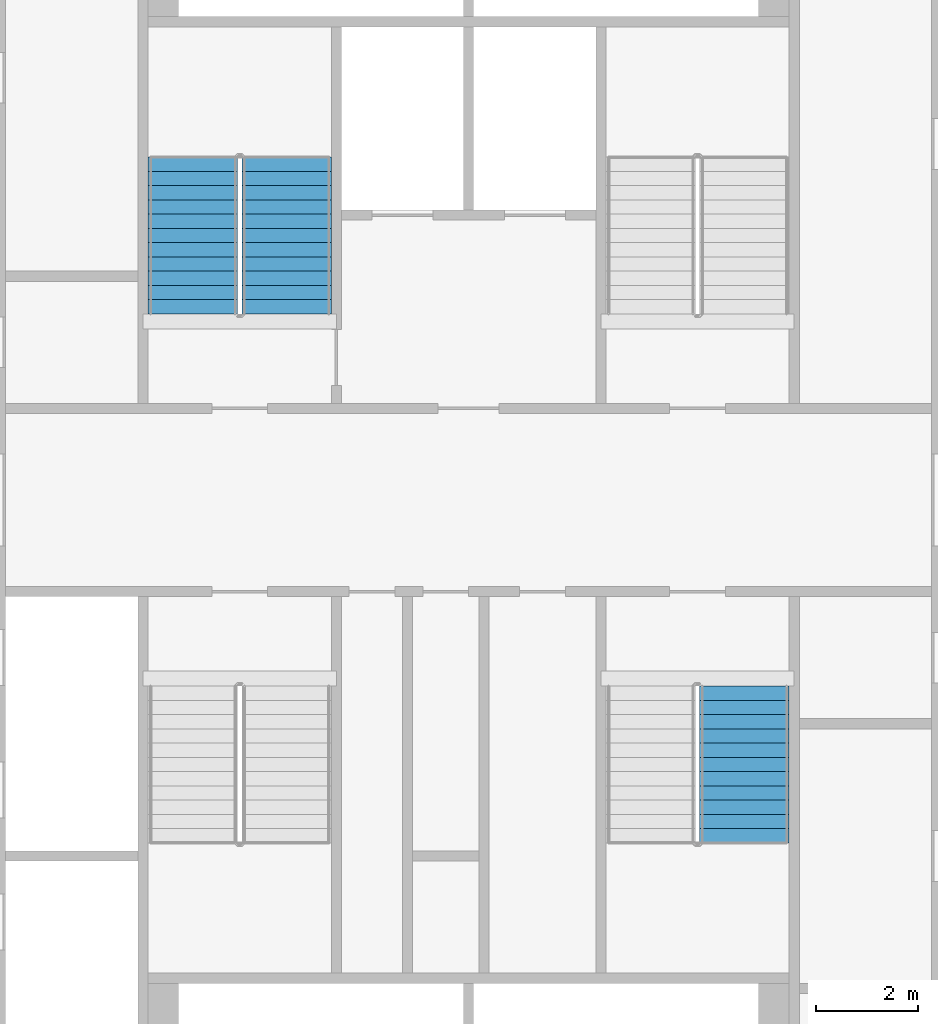
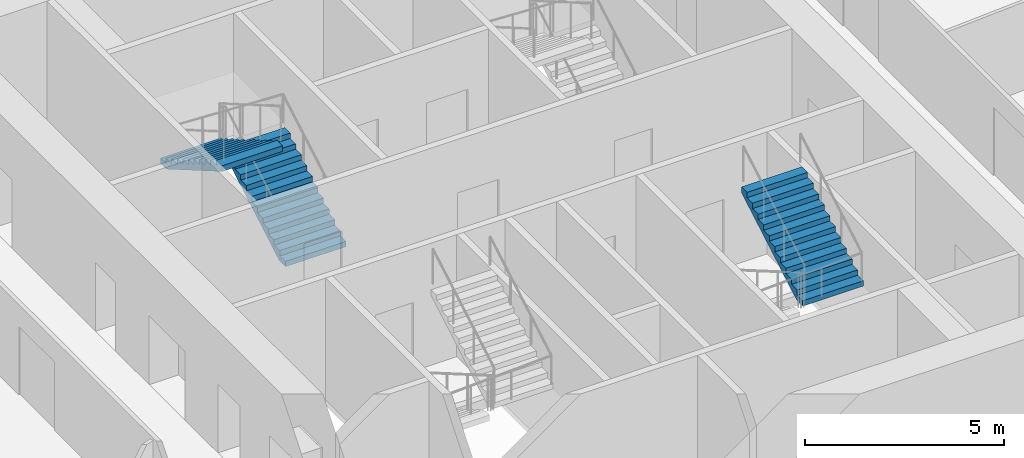
# One storey, part 9 of 15: 3 stair flights, 2 elements without a shape of their own.
"""IFC4 building model written with IfcOpenShell, lengths in metres."""

import ifcopenshell
import ifcopenshell.guid

model = None  # the IFC model being written
_history = None  # IfcOwnerHistory: only IFC2X3 demands one
_inside = {}  # id of a spatial element -> (the spatial element, [elements in it])
_under = {}  # id of a project, library or spatial element -> (it, [spatial elements below it])
_declared = {}  # id of a project -> (the project, [libraries it declares])
_typed = {}  # id of a type object -> (the type object, [elements of that type])
_made_of = {}  # id of a material, layer set ... -> (it, [elements and type objects made of it])


def new_model(schema):
    """Start an empty IFC model of exactly this schema.

    Asked for "IFC4X3", IfcOpenShell would pick the latest addendum, in which some entities
    have other attributes; the version numbers below select the first issue.
    IFC2X3 requires an IfcOwnerHistory on every rooted entity: one is made here for all.
    """
    global model, _history
    if schema == "IFC4X3":
        model = ifcopenshell.file(schema_version=(4, 3, 0, 0))
    else:
        model = ifcopenshell.file(schema=schema)
    _inside.clear()
    _under.clear()
    _declared.clear()
    _typed.clear()
    _made_of.clear()
    _history = None
    if model.schema == "IFC2X3":
        org = make("IfcOrganization", Name="unknown")
        user = make(
            "IfcPersonAndOrganization",
            ThePerson=make("IfcPerson", FamilyName="unknown"),
            TheOrganization=org,
        )
        app = make(
            "IfcApplication",
            ApplicationDeveloper=org,
            Version="unknown",
            ApplicationFullName="unknown",
            ApplicationIdentifier="unknown",
        )
        _history = make(
            "IfcOwnerHistory",
            OwningUser=user,
            OwningApplication=app,
            ChangeAction="ADDED",
            CreationDate=0,
        )
    return model


def make(cls, **values):
    """One entity of the class cls with the attributes given. An attribute that is None is left unset."""
    return model.create_entity(
        cls, **{name: value for name, value in values.items() if value is not None}
    )


def rooted(cls, **values):
    """An entity with a GlobalId (a new one), such as an element, a storey or a relation."""
    return make(cls, GlobalId=ifcopenshell.guid.new(), OwnerHistory=_history, **values)


def si_unit(unit_type, name, prefix=None):
    """IfcSIUnit, for example si_unit("LENGTHUNIT", "METRE", prefix="MILLI")."""
    return make("IfcSIUnit", UnitType=unit_type, Prefix=prefix, Name=name)


def assignment(units):
    """IfcUnitAssignment: the units of a project."""
    return None if units is None else make("IfcUnitAssignment", Units=units)


def point(xyz):
    """IfcCartesianPoint."""
    return None if xyz is None else make("IfcCartesianPoint", Coordinates=xyz)


def direction(xyz):
    """IfcDirection."""
    return None if xyz is None else make("IfcDirection", DirectionRatios=xyz)


def frame(location, z_axis=None, x_axis=None):
    """IfcAxis2Placement3D, a coordinate frame: its origin and axes. An axis left out is left unset."""
    return make(
        "IfcAxis2Placement3D",
        Location=point(location),
        Axis=direction(z_axis),
        RefDirection=direction(x_axis),
    )


def origin():
    """The frame at (0, 0, 0) with its axes left unset."""
    return frame((0.0, 0.0, 0.0))


def place(relative_to, where):
    """IfcLocalPlacement: puts the frame where relative to a parent placement (None: the world)."""
    return make(
        "IfcLocalPlacement", PlacementRelTo=relative_to, RelativePlacement=where
    )


def context(
    kind, dimensions, precision=None, world=None, true_north=None, identifier=None
):
    """IfcGeometricRepresentationContext, for example the 3D "Model" context."""
    return make(
        "IfcGeometricRepresentationContext",
        ContextIdentifier=identifier,
        ContextType=kind,
        CoordinateSpaceDimension=dimensions,
        Precision=precision,
        WorldCoordinateSystem=world,
        TrueNorth=true_north,
    )


def subcontext(parent, identifier, kind, view, scale=None):
    """IfcGeometricRepresentationSubContext, for example "Body" below "Model"."""
    return make(
        "IfcGeometricRepresentationSubContext",
        ContextIdentifier=identifier,
        ContextType=kind,
        ParentContext=parent,
        TargetScale=scale,
        TargetView=view,
    )


def project(units=None, contexts=None):
    """IfcProject with its units and contexts."""
    return rooted(
        "IfcProject",
        Name="project",
        RepresentationContexts=contexts,
        UnitsInContext=assignment(units),
    )


def spatial(cls, under=None, at=None, **own):
    """A site, building, storey or space (cls), placed at a placement, below another one or the project."""
    s = rooted(cls, ObjectPlacement=at, **own)
    if under is not None:
        _under.setdefault(under.id(), (under, []))[1].append(s)
    return s


def faces_of(points, faces, orient=None, outer=None):
    """IfcFace entities. A face is a list of loops; a loop is a list of indices into points, from 0.

    orient and outer hold one flag for each loop. By default every Orientation is true, the
    first loop of a face is its IfcFaceOuterBound and the others are IfcFaceBound.
    """
    made = []
    for i, loops in enumerate(faces):
        bounds = []
        for j, loop in enumerate(loops):
            is_outer = j == 0 if outer is None else outer[i][j]
            bounds.append(
                make(
                    "IfcFaceOuterBound" if is_outer else "IfcFaceBound",
                    Bound=make("IfcPolyLoop", Polygon=[points[k] for k in loop]),
                    Orientation=True if orient is None else orient[i][j],
                )
            )
        made.append(make("IfcFace", Bounds=bounds))
    return made


def faceted_brep(points, faces, orient=None, outer=None, voids=None):
    """IfcFacetedBrep: a solid bounded by flat faces; with voids (closed shells), ...WithVoids."""
    shared = [point(p) for p in points]
    hull = make("IfcClosedShell", CfsFaces=faces_of(shared, faces, orient, outer))
    if voids is None:
        return make("IfcFacetedBrep", Outer=hull)
    return make(
        "IfcFacetedBrepWithVoids",
        Outer=hull,
        Voids=[
            make(cls, CfsFaces=faces_of(shared, fs, o, b)) for cls, fs, o, b in voids
        ],
    )


def shape(context_of_items, identifier, shape_type, items):
    """IfcShapeRepresentation: the items that make up one representation, for example the "Body"."""
    return make(
        "IfcShapeRepresentation",
        ContextOfItems=context_of_items,
        RepresentationIdentifier=identifier,
        RepresentationType=shape_type,
        Items=items,
    )


def material(Name=None, Category=None):
    """IfcMaterial."""
    return make("IfcMaterial", Name=Name, Category=Category)


def made_of(thing, what):
    """Note that an element or type object is made of a material, layer set ...; save() writes the relation."""
    if what is not None:
        _made_of.setdefault(what.id(), (what, []))[1].append(thing)
    return thing


def type_object(cls, material=None, **own):
    """A type object (cls), such as IfcWallType, which elements share."""
    return made_of(rooted(cls, **own), material)


def element(
    cls,
    number,
    at=None,
    inside=None,
    cuts=None,
    type_object=None,
    material=None,
    context=None,
    identifier="Body",
    shape_type=None,
    held_by="IfcProductDefinitionShape",
    body=None,
    shapes=None,
    **own,
):
    """One element of the class cls, such as IfcWall. Its Tag is "e" and its number.

    at: its placement. inside: the storey or other place that contains it. cuts: it is an
    opening in that element (IfcRelVoidsElement). A single representation is given by context,
    identifier, shape_type and body (its items); several are given by shapes. held_by: the class
    of the entity that holds the representations. save() writes the other relations.
    """
    e = rooted(cls, Tag="e%d" % number, ObjectPlacement=at, **own)
    if body is not None:
        shapes = [shape(context, identifier, shape_type, body)]
    if shapes is not None:
        e.Representation = make(held_by, Representations=shapes)
    if inside is not None:
        _inside.setdefault(inside.id(), (inside, []))[1].append(e)
    if cuts is not None:
        rooted(
            "IfcRelVoidsElement", RelatingBuildingElement=cuts, RelatedOpeningElement=e
        )
    if type_object is not None:
        _typed.setdefault(type_object.id(), (type_object, []))[1].append(e)
    return made_of(e, material)


def aggregate(whole, parts):
    """IfcRelAggregates: a whole, such as a stair, and the parts it consists of."""
    return rooted("IfcRelAggregates", RelatingObject=whole, RelatedObjects=parts)


def save(model, path):
    """Write the relations noted so far, then the file.

    IfcRelAggregates (storeys below a building ...), IfcRelContainedInSpatialStructure (elements
    in a storey), IfcRelDefinesByType, IfcRelAssociatesMaterial and IfcRelDeclares: one each for
    every whole, place, type object, material and project.
    """
    for whole, parts in _under.values():
        aggregate(whole, parts)
    for where, things in _inside.values():
        rooted(
            "IfcRelContainedInSpatialStructure",
            RelatedElements=things,
            RelatingStructure=where,
        )
    for kind, things in _typed.values():
        rooted("IfcRelDefinesByType", RelatedObjects=things, RelatingType=kind)
    for what, things in _made_of.values():
        rooted("IfcRelAssociatesMaterial", RelatedObjects=things, RelatingMaterial=what)
    for by, libraries in _declared.values():
        rooted("IfcRelDeclares", RelatingContext=by, RelatedDefinitions=libraries)
    model.write(path)


model = new_model("IFC4")

# Units and contexts
model_context = context("Model", 3, precision=1e-05, world=origin(), true_north=direction((0.0, 1.0)))
body_context = subcontext(model_context, "Body", "Model", "MODEL_VIEW")
ifc_project = project(units=[si_unit("LENGTHUNIT", "METRE"), si_unit("AREAUNIT", "SQUARE_METRE"), si_unit("VOLUMEUNIT", "CUBIC_METRE"), si_unit("PLANEANGLEUNIT", "RADIAN"), si_unit("MASSUNIT", "GRAM", prefix="KILO")], contexts=[model_context])

# Site, building, storey
site_placement = place(None, origin())
site = spatial("IfcSite", under=ifc_project, at=site_placement, CompositionType="ELEMENT")
building_placement = place(site_placement, origin())
building = spatial("IfcBuilding", under=site, at=building_placement, Name="Tarsis Ring Headquarters", CompositionType="ELEMENT")
storey_placement = place(building_placement, frame((0.0, 0.0, 59.5)))
storey = spatial("IfcBuildingStorey", under=building, at=storey_placement, Name="L12", CompositionType="ELEMENT", Elevation=59.5)

# Stair, stair flights
ifc_material_1 = material(Name="Core stair 1760")
stair_type = type_object("IfcStairType", Name="Core stair 1760", PredefinedType="HALF_TURN_STAIR", material=ifc_material_1)
stair_1_placement = place(storey_placement, origin())
stair_1 = element("IfcStair", 1, at=stair_1_placement, inside=storey, type_object=stair_type, Name="L12 Firefighting stair", PredefinedType="HALF_TURN_STAIR")
ifc_material_2 = material(Name="Concrete C40/50", Category="concrete")
stair_flight_type = type_object("IfcStairFlightType", Name="Core stair flight 1760", PredefinedType="STRAIGHT", material=ifc_material_2)
stair_flight_1_placement = place(storey_placement, frame((-3.580078125, 3.659912109375, 0.0), z_axis=(0.0, 0.0, 1.0), x_axis=(0.0, 1.0, 0.0)))
stair_flight_1 = element("IfcStairFlight", 2, at=stair_flight_1_placement, type_object=stair_flight_type, Name="Stair ST1 flight 1", NumberOfRisers=12, NumberOfTreads=11, PredefinedType="STRAIGHT", RiserHeight=0.1625, TreadLength=0.28, context=body_context, shape_type="Brep", body=[
    faceted_brep([(0.0, 0.8798828125, 0.0), (0.0, 0.8798828125, 0.16259765625), (0.280029296875, 0.8798828125, 0.16259765625), (0.280029296875, 0.8798828125, 0.324951171875), (0.56005859375, 0.8798828125, 0.324951171875), (0.56005859375, 0.8798828125, 0.487548828125), (0.840087890625, 0.8798828125, 0.487548828125), (0.840087890625, 0.8798828125, 0.64990234375), (1.1201171875, 0.8798828125, 0.64990234375), (1.1201171875, 0.8798828125, 0.8125), (1.39990234375, 0.8798828125, 0.8125), (1.39990234375, 0.8798828125, 0.97509765625), (1.679931640625, 0.8798828125, 0.97509765625), (1.679931640625, 0.8798828125, 1.137451171875), (1.9599609375, 0.8798828125, 1.137451171875), (1.9599609375, 0.8798828125, 1.300048828125), (2.239990234375, 0.8798828125, 1.300048828125), (2.239990234375, 0.8798828125, 1.46240234375), (2.52001953125, 0.8798828125, 1.46240234375), (2.52001953125, 0.8798828125, 1.625), (2.800048828125, 0.8798828125, 1.625), (2.800048828125, 0.8798828125, 1.78759765625), (3.080078125, 0.8798828125, 1.78759765625), (3.080078125, 0.8798828125, 1.6142578125), (0.298583984375, 0.8798828125, 0.0), (0.298583984375, -0.8798828125, 0.0), (3.080078125, -0.8798828125, 1.6142578125), (3.080078125, -0.8798828125, 1.78759765625), (2.800048828125, -0.8798828125, 1.78759765625), (2.800048828125, -0.8798828125, 1.625), (2.52001953125, -0.8798828125, 1.625), (2.52001953125, -0.8798828125, 1.46240234375), (2.239990234375, -0.8798828125, 1.46240234375), (2.239990234375, -0.8798828125, 1.300048828125), (1.9599609375, -0.8798828125, 1.300048828125), (1.9599609375, -0.8798828125, 1.137451171875), (1.679931640625, -0.8798828125, 1.137451171875), (1.679931640625, -0.8798828125, 0.97509765625), (1.39990234375, -0.8798828125, 0.97509765625), (1.39990234375, -0.8798828125, 0.8125), (1.1201171875, -0.8798828125, 0.8125), (1.1201171875, -0.8798828125, 0.64990234375), (0.840087890625, -0.8798828125, 0.64990234375), (0.840087890625, -0.8798828125, 0.487548828125), (0.56005859375, -0.8798828125, 0.487548828125), (0.56005859375, -0.8798828125, 0.324951171875), (0.280029296875, -0.8798828125, 0.324951171875), (0.280029296875, -0.8798828125, 0.16259765625), (0.0, -0.8798828125, 0.16259765625), (0.0, -0.8798828125, 0.0), (0.0, -0.43994140625, 0.16259765625), (0.0, -0.43994140625, 0.0), (0.0, 0.0, 0.16259765625), (0.0, 0.0, 0.0), (0.0, 0.43994140625, 0.16259765625), (0.0, 0.43994140625, 0.0), (0.280029296875, -0.43994140625, 0.16259765625), (0.280029296875, 0.0, 0.16259765625), (0.280029296875, 0.43994140625, 0.16259765625), (0.280029296875, -0.43994140625, 0.324951171875), (0.280029296875, 0.0, 0.324951171875), (0.280029296875, 0.43994140625, 0.324951171875), (0.56005859375, -0.43994140625, 0.324951171875), (0.56005859375, 0.0, 0.324951171875), (0.56005859375, 0.43994140625, 0.324951171875), (0.56005859375, -0.43994140625, 0.487548828125), (0.56005859375, 0.0, 0.487548828125), (0.56005859375, 0.43994140625, 0.487548828125), (0.840087890625, -0.43994140625, 0.487548828125), (0.840087890625, 0.0, 0.487548828125), (0.840087890625, 0.43994140625, 0.487548828125), (0.840087890625, -0.43994140625, 0.64990234375), (0.840087890625, 0.0, 0.64990234375), (0.840087890625, 0.43994140625, 0.64990234375), (1.1201171875, -0.43994140625, 0.64990234375), (1.1201171875, 0.0, 0.64990234375), (1.1201171875, 0.43994140625, 0.64990234375), (1.1201171875, -0.43994140625, 0.8125), (1.1201171875, 0.0, 0.8125), (1.1201171875, 0.43994140625, 0.8125), (1.39990234375, -0.43994140625, 0.8125), (1.39990234375, 0.0, 0.8125), (1.39990234375, 0.43994140625, 0.8125), (1.39990234375, -0.43994140625, 0.97509765625), (1.39990234375, 0.0, 0.97509765625), (1.39990234375, 0.43994140625, 0.97509765625), (1.679931640625, -0.43994140625, 0.97509765625), (1.679931640625, 0.0, 0.97509765625), (1.679931640625, 0.43994140625, 0.97509765625), (1.679931640625, -0.43994140625, 1.137451171875), (1.679931640625, 0.0, 1.137451171875), (1.679931640625, 0.43994140625, 1.137451171875), (1.9599609375, -0.43994140625, 1.137451171875), (1.9599609375, 0.0, 1.137451171875), (1.9599609375, 0.43994140625, 1.137451171875), (1.9599609375, -0.43994140625, 1.300048828125), (1.9599609375, 0.0, 1.300048828125), (1.9599609375, 0.43994140625, 1.300048828125), (2.239990234375, -0.43994140625, 1.300048828125), (2.239990234375, 0.0, 1.300048828125), (2.239990234375, 0.43994140625, 1.300048828125), (2.239990234375, -0.43994140625, 1.46240234375), (2.239990234375, 0.0, 1.46240234375), (2.239990234375, 0.43994140625, 1.46240234375), (2.52001953125, -0.43994140625, 1.46240234375), (2.52001953125, 0.0, 1.46240234375), (2.52001953125, 0.43994140625, 1.46240234375), (2.52001953125, -0.43994140625, 1.625), (2.52001953125, 0.0, 1.625), (2.52001953125, 0.43994140625, 1.625), (2.800048828125, -0.43994140625, 1.625), (2.800048828125, 0.0, 1.625), (2.800048828125, 0.43994140625, 1.625), (2.800048828125, -0.43994140625, 1.78759765625), (2.800048828125, 0.0, 1.78759765625), (2.800048828125, 0.43994140625, 1.78759765625), (3.080078125, -0.43994140625, 1.78759765625), (3.080078125, 0.0, 1.78759765625), (3.080078125, 0.43994140625, 1.78759765625), (3.080078125, -0.43994140625, 1.6142578125), (3.080078125, 0.0, 1.6142578125), (3.080078125, 0.43994140625, 1.6142578125), (0.298583984375, -0.43994140625, 0.0), (0.298583984375, 0.0, 0.0), (0.298583984375, 0.43994140625, 0.0)], [[[0, 1, 2, 3, 4, 5, 6, 7, 8, 9, 10, 11, 12, 13, 14, 15, 16, 17, 18, 19, 20, 21, 22, 23, 24]], [[25, 26, 27, 28, 29, 30, 31, 32, 33, 34, 35, 36, 37, 38, 39, 40, 41, 42, 43, 44, 45, 46, 47, 48, 49]], [[49, 48, 50, 51]], [[51, 50, 52, 53]], [[53, 52, 54, 55]], [[55, 54, 1, 0]], [[48, 47, 56, 50]], [[50, 56, 57, 52]], [[52, 57, 58, 54]], [[54, 58, 2, 1]], [[47, 46, 59, 56]], [[56, 59, 60, 57]], [[57, 60, 61, 58]], [[58, 61, 3, 2]], [[46, 45, 62, 59]], [[59, 62, 63, 60]], [[60, 63, 64, 61]], [[61, 64, 4, 3]], [[45, 44, 65, 62]], [[62, 65, 66, 63]], [[63, 66, 67, 64]], [[64, 67, 5, 4]], [[44, 43, 68, 65]], [[65, 68, 69, 66]], [[66, 69, 70, 67]], [[67, 70, 6, 5]], [[43, 42, 71, 68]], [[68, 71, 72, 69]], [[69, 72, 73, 70]], [[70, 73, 7, 6]], [[42, 41, 74, 71]], [[71, 74, 75, 72]], [[72, 75, 76, 73]], [[73, 76, 8, 7]], [[41, 40, 77, 74]], [[74, 77, 78, 75]], [[75, 78, 79, 76]], [[76, 79, 9, 8]], [[40, 39, 80, 77]], [[77, 80, 81, 78]], [[78, 81, 82, 79]], [[79, 82, 10, 9]], [[39, 38, 83, 80]], [[80, 83, 84, 81]], [[81, 84, 85, 82]], [[82, 85, 11, 10]], [[38, 37, 86, 83]], [[83, 86, 87, 84]], [[84, 87, 88, 85]], [[85, 88, 12, 11]], [[37, 36, 89, 86]], [[86, 89, 90, 87]], [[87, 90, 91, 88]], [[88, 91, 13, 12]], [[36, 35, 92, 89]], [[89, 92, 93, 90]], [[90, 93, 94, 91]], [[91, 94, 14, 13]], [[35, 34, 95, 92]], [[92, 95, 96, 93]], [[93, 96, 97, 94]], [[94, 97, 15, 14]], [[34, 33, 98, 95]], [[95, 98, 99, 96]], [[96, 99, 100, 97]], [[97, 100, 16, 15]], [[33, 32, 101, 98]], [[98, 101, 102, 99]], [[99, 102, 103, 100]], [[100, 103, 17, 16]], [[32, 31, 104, 101]], [[101, 104, 105, 102]], [[102, 105, 106, 103]], [[103, 106, 18, 17]], [[31, 30, 107, 104]], [[104, 107, 108, 105]], [[105, 108, 109, 106]], [[106, 109, 19, 18]], [[30, 29, 110, 107]], [[107, 110, 111, 108]], [[108, 111, 112, 109]], [[109, 112, 20, 19]], [[29, 28, 113, 110]], [[110, 113, 114, 111]], [[111, 114, 115, 112]], [[112, 115, 21, 20]], [[28, 27, 116, 113]], [[113, 116, 117, 114]], [[114, 117, 118, 115]], [[115, 118, 22, 21]], [[27, 26, 119, 116]], [[116, 119, 120, 117]], [[117, 120, 121, 118]], [[118, 121, 23, 22]], [[26, 25, 122, 119]], [[119, 122, 123, 120]], [[120, 123, 124, 121]], [[121, 124, 24, 23]], [[25, 49, 51, 122]], [[122, 51, 53, 123]], [[123, 53, 55, 124]], [[124, 55, 0, 24]]]),
])
stair_flight_2_placement = place(storey_placement, frame((-5.419921875, 6.739990234375, 1.949951171875), z_axis=(0.0, 0.0, 1.0), x_axis=(0.0, -1.0, 0.0)))
stair_flight_2 = element("IfcStairFlight", 3, at=stair_flight_2_placement, type_object=stair_flight_type, Name="Stair ST1 flight 2", NumberOfRisers=12, NumberOfTreads=11, PredefinedType="STRAIGHT", RiserHeight=0.1625, TreadLength=0.28, context=body_context, shape_type="Brep", body=[
    faceted_brep([(0.0, 0.8798828125, 0.0), (0.0, 0.8798828125, 0.16259765625), (0.280029296875, 0.8798828125, 0.16259765625), (0.280029296875, 0.8798828125, 0.324951171875), (0.56005859375, 0.8798828125, 0.324951171875), (0.56005859375, 0.8798828125, 0.487548828125), (0.840087890625, 0.8798828125, 0.487548828125), (0.840087890625, 0.8798828125, 0.64990234375), (1.1201171875, 0.8798828125, 0.64990234375), (1.1201171875, 0.8798828125, 0.8125), (1.39990234375, 0.8798828125, 0.8125), (1.39990234375, 0.8798828125, 0.97509765625), (1.679931640625, 0.8798828125, 0.97509765625), (1.679931640625, 0.8798828125, 1.137451171875), (1.9599609375, 0.8798828125, 1.137451171875), (1.9599609375, 0.8798828125, 1.300048828125), (2.239990234375, 0.8798828125, 1.300048828125), (2.239990234375, 0.8798828125, 1.46240234375), (2.52001953125, 0.8798828125, 1.46240234375), (2.52001953125, 0.8798828125, 1.625), (2.800048828125, 0.8798828125, 1.625), (2.800048828125, 0.8798828125, 1.78759765625), (3.080078125, 0.8798828125, 1.78759765625), (3.080078125, 0.8798828125, 1.6142578125), (0.298583984375, 0.8798828125, 0.0), (0.298583984375, -0.8798828125, 0.0), (3.080078125, -0.8798828125, 1.6142578125), (3.080078125, -0.8798828125, 1.78759765625), (2.800048828125, -0.8798828125, 1.78759765625), (2.800048828125, -0.8798828125, 1.625), (2.52001953125, -0.8798828125, 1.625), (2.52001953125, -0.8798828125, 1.46240234375), (2.239990234375, -0.8798828125, 1.46240234375), (2.239990234375, -0.8798828125, 1.300048828125), (1.9599609375, -0.8798828125, 1.300048828125), (1.9599609375, -0.8798828125, 1.137451171875), (1.679931640625, -0.8798828125, 1.137451171875), (1.679931640625, -0.8798828125, 0.97509765625), (1.39990234375, -0.8798828125, 0.97509765625), (1.39990234375, -0.8798828125, 0.8125), (1.1201171875, -0.8798828125, 0.8125), (1.1201171875, -0.8798828125, 0.64990234375), (0.840087890625, -0.8798828125, 0.64990234375), (0.840087890625, -0.8798828125, 0.487548828125), (0.56005859375, -0.8798828125, 0.487548828125), (0.56005859375, -0.8798828125, 0.324951171875), (0.280029296875, -0.8798828125, 0.324951171875), (0.280029296875, -0.8798828125, 0.16259765625), (0.0, -0.8798828125, 0.16259765625), (0.0, -0.8798828125, 0.0), (0.0, -0.43994140625, 0.16259765625), (0.0, -0.43994140625, 0.0), (0.0, 0.0, 0.16259765625), (0.0, 0.0, 0.0), (0.0, 0.43994140625, 0.16259765625), (0.0, 0.43994140625, 0.0), (0.280029296875, -0.43994140625, 0.16259765625), (0.280029296875, 0.0, 0.16259765625), (0.280029296875, 0.43994140625, 0.16259765625), (0.280029296875, -0.43994140625, 0.324951171875), (0.280029296875, 0.0, 0.324951171875), (0.280029296875, 0.43994140625, 0.324951171875), (0.56005859375, -0.43994140625, 0.324951171875), (0.56005859375, 0.0, 0.324951171875), (0.56005859375, 0.43994140625, 0.324951171875), (0.56005859375, -0.43994140625, 0.487548828125), (0.56005859375, 0.0, 0.487548828125), (0.56005859375, 0.43994140625, 0.487548828125), (0.840087890625, -0.43994140625, 0.487548828125), (0.840087890625, 0.0, 0.487548828125), (0.840087890625, 0.43994140625, 0.487548828125), (0.840087890625, -0.43994140625, 0.64990234375), (0.840087890625, 0.0, 0.64990234375), (0.840087890625, 0.43994140625, 0.64990234375), (1.1201171875, -0.43994140625, 0.64990234375), (1.1201171875, 0.0, 0.64990234375), (1.1201171875, 0.43994140625, 0.64990234375), (1.1201171875, -0.43994140625, 0.8125), (1.1201171875, 0.0, 0.8125), (1.1201171875, 0.43994140625, 0.8125), (1.39990234375, -0.43994140625, 0.8125), (1.39990234375, 0.0, 0.8125), (1.39990234375, 0.43994140625, 0.8125), (1.39990234375, -0.43994140625, 0.97509765625), (1.39990234375, 0.0, 0.97509765625), (1.39990234375, 0.43994140625, 0.97509765625), (1.679931640625, -0.43994140625, 0.97509765625), (1.679931640625, 0.0, 0.97509765625), (1.679931640625, 0.43994140625, 0.97509765625), (1.679931640625, -0.43994140625, 1.137451171875), (1.679931640625, 0.0, 1.137451171875), (1.679931640625, 0.43994140625, 1.137451171875), (1.9599609375, -0.43994140625, 1.137451171875), (1.9599609375, 0.0, 1.137451171875), (1.9599609375, 0.43994140625, 1.137451171875), (1.9599609375, -0.43994140625, 1.300048828125), (1.9599609375, 0.0, 1.300048828125), (1.9599609375, 0.43994140625, 1.300048828125), (2.239990234375, -0.43994140625, 1.300048828125), (2.239990234375, 0.0, 1.300048828125), (2.239990234375, 0.43994140625, 1.300048828125), (2.239990234375, -0.43994140625, 1.46240234375), (2.239990234375, 0.0, 1.46240234375), (2.239990234375, 0.43994140625, 1.46240234375), (2.52001953125, -0.43994140625, 1.46240234375), (2.52001953125, 0.0, 1.46240234375), (2.52001953125, 0.43994140625, 1.46240234375), (2.52001953125, -0.43994140625, 1.625), (2.52001953125, 0.0, 1.625), (2.52001953125, 0.43994140625, 1.625), (2.800048828125, -0.43994140625, 1.625), (2.800048828125, 0.0, 1.625), (2.800048828125, 0.43994140625, 1.625), (2.800048828125, -0.43994140625, 1.78759765625), (2.800048828125, 0.0, 1.78759765625), (2.800048828125, 0.43994140625, 1.78759765625), (3.080078125, -0.43994140625, 1.78759765625), (3.080078125, 0.0, 1.78759765625), (3.080078125, 0.43994140625, 1.78759765625), (3.080078125, -0.43994140625, 1.6142578125), (3.080078125, 0.0, 1.6142578125), (3.080078125, 0.43994140625, 1.6142578125), (0.298583984375, -0.43994140625, 0.0), (0.298583984375, 0.0, 0.0), (0.298583984375, 0.43994140625, 0.0)], [[[0, 1, 2, 3, 4, 5, 6, 7, 8, 9, 10, 11, 12, 13, 14, 15, 16, 17, 18, 19, 20, 21, 22, 23, 24]], [[25, 26, 27, 28, 29, 30, 31, 32, 33, 34, 35, 36, 37, 38, 39, 40, 41, 42, 43, 44, 45, 46, 47, 48, 49]], [[49, 48, 50, 51]], [[51, 50, 52, 53]], [[53, 52, 54, 55]], [[55, 54, 1, 0]], [[48, 47, 56, 50]], [[50, 56, 57, 52]], [[52, 57, 58, 54]], [[54, 58, 2, 1]], [[47, 46, 59, 56]], [[56, 59, 60, 57]], [[57, 60, 61, 58]], [[58, 61, 3, 2]], [[46, 45, 62, 59]], [[59, 62, 63, 60]], [[60, 63, 64, 61]], [[61, 64, 4, 3]], [[45, 44, 65, 62]], [[62, 65, 66, 63]], [[63, 66, 67, 64]], [[64, 67, 5, 4]], [[44, 43, 68, 65]], [[65, 68, 69, 66]], [[66, 69, 70, 67]], [[67, 70, 6, 5]], [[43, 42, 71, 68]], [[68, 71, 72, 69]], [[69, 72, 73, 70]], [[70, 73, 7, 6]], [[42, 41, 74, 71]], [[71, 74, 75, 72]], [[72, 75, 76, 73]], [[73, 76, 8, 7]], [[41, 40, 77, 74]], [[74, 77, 78, 75]], [[75, 78, 79, 76]], [[76, 79, 9, 8]], [[40, 39, 80, 77]], [[77, 80, 81, 78]], [[78, 81, 82, 79]], [[79, 82, 10, 9]], [[39, 38, 83, 80]], [[80, 83, 84, 81]], [[81, 84, 85, 82]], [[82, 85, 11, 10]], [[38, 37, 86, 83]], [[83, 86, 87, 84]], [[84, 87, 88, 85]], [[85, 88, 12, 11]], [[37, 36, 89, 86]], [[86, 89, 90, 87]], [[87, 90, 91, 88]], [[88, 91, 13, 12]], [[36, 35, 92, 89]], [[89, 92, 93, 90]], [[90, 93, 94, 91]], [[91, 94, 14, 13]], [[35, 34, 95, 92]], [[92, 95, 96, 93]], [[93, 96, 97, 94]], [[94, 97, 15, 14]], [[34, 33, 98, 95]], [[95, 98, 99, 96]], [[96, 99, 100, 97]], [[97, 100, 16, 15]], [[33, 32, 101, 98]], [[98, 101, 102, 99]], [[99, 102, 103, 100]], [[100, 103, 17, 16]], [[32, 31, 104, 101]], [[101, 104, 105, 102]], [[102, 105, 106, 103]], [[103, 106, 18, 17]], [[31, 30, 107, 104]], [[104, 107, 108, 105]], [[105, 108, 109, 106]], [[106, 109, 19, 18]], [[30, 29, 110, 107]], [[107, 110, 111, 108]], [[108, 111, 112, 109]], [[109, 112, 20, 19]], [[29, 28, 113, 110]], [[110, 113, 114, 111]], [[111, 114, 115, 112]], [[112, 115, 21, 20]], [[28, 27, 116, 113]], [[113, 116, 117, 114]], [[114, 117, 118, 115]], [[115, 118, 22, 21]], [[27, 26, 119, 116]], [[116, 119, 120, 117]], [[117, 120, 121, 118]], [[118, 121, 23, 22]], [[26, 25, 122, 119]], [[119, 122, 123, 120]], [[120, 123, 124, 121]], [[121, 124, 24, 23]], [[25, 49, 51, 122]], [[122, 51, 53, 123]], [[123, 53, 55, 124]], [[124, 55, 0, 24]]]),
])
aggregate(stair_1, [stair_flight_1, stair_flight_2])

# Stair, stair flight
stair_2_placement = place(storey_placement, origin())
stair_2 = element("IfcStair", 4, at=stair_2_placement, inside=storey, type_object=stair_type, Name="L12 Exit stair D", PredefinedType="HALF_TURN_STAIR")
stair_flight_3_placement = place(storey_placement, frame((5.419921875, -6.739990234375, 1.949951171875), z_axis=(0.0, 0.0, 1.0), x_axis=(0.0, 1.0, 0.0)))
stair_flight_3 = element("IfcStairFlight", 5, at=stair_flight_3_placement, type_object=stair_flight_type, Name="Stair ST4 flight 2", NumberOfRisers=12, NumberOfTreads=11, PredefinedType="STRAIGHT", RiserHeight=0.1625, TreadLength=0.28, context=body_context, shape_type="Brep", body=[
    faceted_brep([(0.0, 0.8798828125, 0.0), (0.0, 0.8798828125, 0.16259765625), (0.280029296875, 0.8798828125, 0.16259765625), (0.280029296875, 0.8798828125, 0.324951171875), (0.56005859375, 0.8798828125, 0.324951171875), (0.56005859375, 0.8798828125, 0.487548828125), (0.840087890625, 0.8798828125, 0.487548828125), (0.840087890625, 0.8798828125, 0.64990234375), (1.1201171875, 0.8798828125, 0.64990234375), (1.1201171875, 0.8798828125, 0.8125), (1.39990234375, 0.8798828125, 0.8125), (1.39990234375, 0.8798828125, 0.97509765625), (1.679931640625, 0.8798828125, 0.97509765625), (1.679931640625, 0.8798828125, 1.137451171875), (1.9599609375, 0.8798828125, 1.137451171875), (1.9599609375, 0.8798828125, 1.300048828125), (2.239990234375, 0.8798828125, 1.300048828125), (2.239990234375, 0.8798828125, 1.46240234375), (2.52001953125, 0.8798828125, 1.46240234375), (2.52001953125, 0.8798828125, 1.625), (2.800048828125, 0.8798828125, 1.625), (2.800048828125, 0.8798828125, 1.78759765625), (3.080078125, 0.8798828125, 1.78759765625), (3.080078125, 0.8798828125, 1.6142578125), (0.298583984375, 0.8798828125, 0.0), (0.298583984375, -0.8798828125, 0.0), (3.080078125, -0.8798828125, 1.6142578125), (3.080078125, -0.8798828125, 1.78759765625), (2.800048828125, -0.8798828125, 1.78759765625), (2.800048828125, -0.8798828125, 1.625), (2.52001953125, -0.8798828125, 1.625), (2.52001953125, -0.8798828125, 1.46240234375), (2.239990234375, -0.8798828125, 1.46240234375), (2.239990234375, -0.8798828125, 1.300048828125), (1.9599609375, -0.8798828125, 1.300048828125), (1.9599609375, -0.8798828125, 1.137451171875), (1.679931640625, -0.8798828125, 1.137451171875), (1.679931640625, -0.8798828125, 0.97509765625), (1.39990234375, -0.8798828125, 0.97509765625), (1.39990234375, -0.8798828125, 0.8125), (1.1201171875, -0.8798828125, 0.8125), (1.1201171875, -0.8798828125, 0.64990234375), (0.840087890625, -0.8798828125, 0.64990234375), (0.840087890625, -0.8798828125, 0.487548828125), (0.56005859375, -0.8798828125, 0.487548828125), (0.56005859375, -0.8798828125, 0.324951171875), (0.280029296875, -0.8798828125, 0.324951171875), (0.280029296875, -0.8798828125, 0.16259765625), (0.0, -0.8798828125, 0.16259765625), (0.0, -0.8798828125, 0.0), (0.0, -0.43994140625, 0.16259765625), (0.0, -0.43994140625, 0.0), (0.0, 0.0, 0.16259765625), (0.0, 0.0, 0.0), (0.0, 0.43994140625, 0.16259765625), (0.0, 0.43994140625, 0.0), (0.280029296875, -0.43994140625, 0.16259765625), (0.280029296875, 0.0, 0.16259765625), (0.280029296875, 0.43994140625, 0.16259765625), (0.280029296875, -0.43994140625, 0.324951171875), (0.280029296875, 0.0, 0.324951171875), (0.280029296875, 0.43994140625, 0.324951171875), (0.56005859375, -0.43994140625, 0.324951171875), (0.56005859375, 0.0, 0.324951171875), (0.56005859375, 0.43994140625, 0.324951171875), (0.56005859375, -0.43994140625, 0.487548828125), (0.56005859375, 0.0, 0.487548828125), (0.56005859375, 0.43994140625, 0.487548828125), (0.840087890625, -0.43994140625, 0.487548828125), (0.840087890625, 0.0, 0.487548828125), (0.840087890625, 0.43994140625, 0.487548828125), (0.840087890625, -0.43994140625, 0.64990234375), (0.840087890625, 0.0, 0.64990234375), (0.840087890625, 0.43994140625, 0.64990234375), (1.1201171875, -0.43994140625, 0.64990234375), (1.1201171875, 0.0, 0.64990234375), (1.1201171875, 0.43994140625, 0.64990234375), (1.1201171875, -0.43994140625, 0.8125), (1.1201171875, 0.0, 0.8125), (1.1201171875, 0.43994140625, 0.8125), (1.39990234375, -0.43994140625, 0.8125), (1.39990234375, 0.0, 0.8125), (1.39990234375, 0.43994140625, 0.8125), (1.39990234375, -0.43994140625, 0.97509765625), (1.39990234375, 0.0, 0.97509765625), (1.39990234375, 0.43994140625, 0.97509765625), (1.679931640625, -0.43994140625, 0.97509765625), (1.679931640625, 0.0, 0.97509765625), (1.679931640625, 0.43994140625, 0.97509765625), (1.679931640625, -0.43994140625, 1.137451171875), (1.679931640625, 0.0, 1.137451171875), (1.679931640625, 0.43994140625, 1.137451171875), (1.9599609375, -0.43994140625, 1.137451171875), (1.9599609375, 0.0, 1.137451171875), (1.9599609375, 0.43994140625, 1.137451171875), (1.9599609375, -0.43994140625, 1.300048828125), (1.9599609375, 0.0, 1.300048828125), (1.9599609375, 0.43994140625, 1.300048828125), (2.239990234375, -0.43994140625, 1.300048828125), (2.239990234375, 0.0, 1.300048828125), (2.239990234375, 0.43994140625, 1.300048828125), (2.239990234375, -0.43994140625, 1.46240234375), (2.239990234375, 0.0, 1.46240234375), (2.239990234375, 0.43994140625, 1.46240234375), (2.52001953125, -0.43994140625, 1.46240234375), (2.52001953125, 0.0, 1.46240234375), (2.52001953125, 0.43994140625, 1.46240234375), (2.52001953125, -0.43994140625, 1.625), (2.52001953125, 0.0, 1.625), (2.52001953125, 0.43994140625, 1.625), (2.800048828125, -0.43994140625, 1.625), (2.800048828125, 0.0, 1.625), (2.800048828125, 0.43994140625, 1.625), (2.800048828125, -0.43994140625, 1.78759765625), (2.800048828125, 0.0, 1.78759765625), (2.800048828125, 0.43994140625, 1.78759765625), (3.080078125, -0.43994140625, 1.78759765625), (3.080078125, 0.0, 1.78759765625), (3.080078125, 0.43994140625, 1.78759765625), (3.080078125, -0.43994140625, 1.6142578125), (3.080078125, 0.0, 1.6142578125), (3.080078125, 0.43994140625, 1.6142578125), (0.298583984375, -0.43994140625, 0.0), (0.298583984375, 0.0, 0.0), (0.298583984375, 0.43994140625, 0.0)], [[[0, 1, 2, 3, 4, 5, 6, 7, 8, 9, 10, 11, 12, 13, 14, 15, 16, 17, 18, 19, 20, 21, 22, 23, 24]], [[25, 26, 27, 28, 29, 30, 31, 32, 33, 34, 35, 36, 37, 38, 39, 40, 41, 42, 43, 44, 45, 46, 47, 48, 49]], [[49, 48, 50, 51]], [[51, 50, 52, 53]], [[53, 52, 54, 55]], [[55, 54, 1, 0]], [[48, 47, 56, 50]], [[50, 56, 57, 52]], [[52, 57, 58, 54]], [[54, 58, 2, 1]], [[47, 46, 59, 56]], [[56, 59, 60, 57]], [[57, 60, 61, 58]], [[58, 61, 3, 2]], [[46, 45, 62, 59]], [[59, 62, 63, 60]], [[60, 63, 64, 61]], [[61, 64, 4, 3]], [[45, 44, 65, 62]], [[62, 65, 66, 63]], [[63, 66, 67, 64]], [[64, 67, 5, 4]], [[44, 43, 68, 65]], [[65, 68, 69, 66]], [[66, 69, 70, 67]], [[67, 70, 6, 5]], [[43, 42, 71, 68]], [[68, 71, 72, 69]], [[69, 72, 73, 70]], [[70, 73, 7, 6]], [[42, 41, 74, 71]], [[71, 74, 75, 72]], [[72, 75, 76, 73]], [[73, 76, 8, 7]], [[41, 40, 77, 74]], [[74, 77, 78, 75]], [[75, 78, 79, 76]], [[76, 79, 9, 8]], [[40, 39, 80, 77]], [[77, 80, 81, 78]], [[78, 81, 82, 79]], [[79, 82, 10, 9]], [[39, 38, 83, 80]], [[80, 83, 84, 81]], [[81, 84, 85, 82]], [[82, 85, 11, 10]], [[38, 37, 86, 83]], [[83, 86, 87, 84]], [[84, 87, 88, 85]], [[85, 88, 12, 11]], [[37, 36, 89, 86]], [[86, 89, 90, 87]], [[87, 90, 91, 88]], [[88, 91, 13, 12]], [[36, 35, 92, 89]], [[89, 92, 93, 90]], [[90, 93, 94, 91]], [[91, 94, 14, 13]], [[35, 34, 95, 92]], [[92, 95, 96, 93]], [[93, 96, 97, 94]], [[94, 97, 15, 14]], [[34, 33, 98, 95]], [[95, 98, 99, 96]], [[96, 99, 100, 97]], [[97, 100, 16, 15]], [[33, 32, 101, 98]], [[98, 101, 102, 99]], [[99, 102, 103, 100]], [[100, 103, 17, 16]], [[32, 31, 104, 101]], [[101, 104, 105, 102]], [[102, 105, 106, 103]], [[103, 106, 18, 17]], [[31, 30, 107, 104]], [[104, 107, 108, 105]], [[105, 108, 109, 106]], [[106, 109, 19, 18]], [[30, 29, 110, 107]], [[107, 110, 111, 108]], [[108, 111, 112, 109]], [[109, 112, 20, 19]], [[29, 28, 113, 110]], [[110, 113, 114, 111]], [[111, 114, 115, 112]], [[112, 115, 21, 20]], [[28, 27, 116, 113]], [[113, 116, 117, 114]], [[114, 117, 118, 115]], [[115, 118, 22, 21]], [[27, 26, 119, 116]], [[116, 119, 120, 117]], [[117, 120, 121, 118]], [[118, 121, 23, 22]], [[26, 25, 122, 119]], [[119, 122, 123, 120]], [[120, 123, 124, 121]], [[121, 124, 24, 23]], [[25, 49, 51, 122]], [[122, 51, 53, 123]], [[123, 53, 55, 124]], [[124, 55, 0, 24]]]),
])
aggregate(stair_2, [stair_flight_3])

save(model, "model.ifc")
